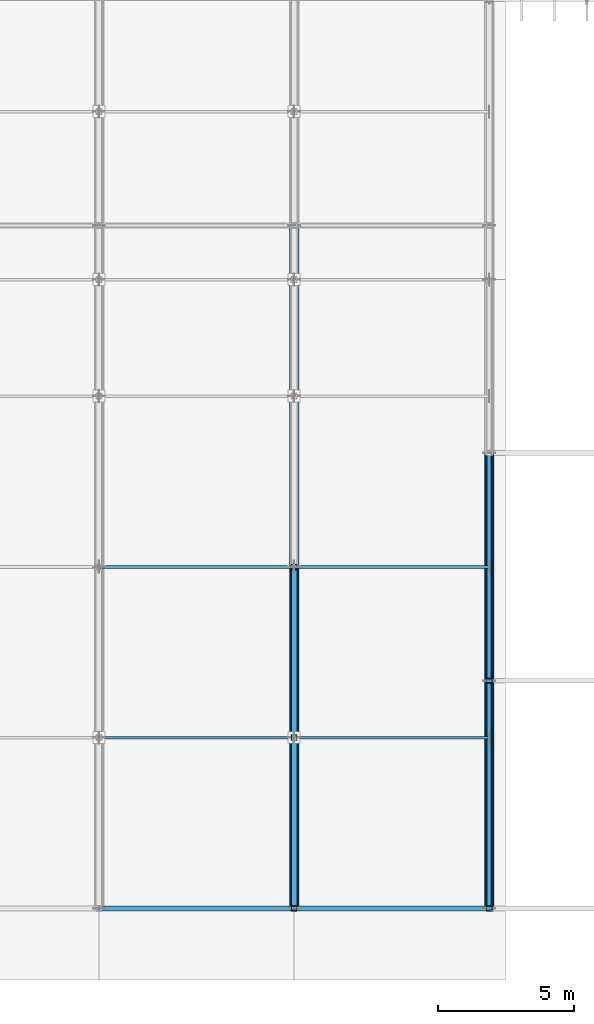
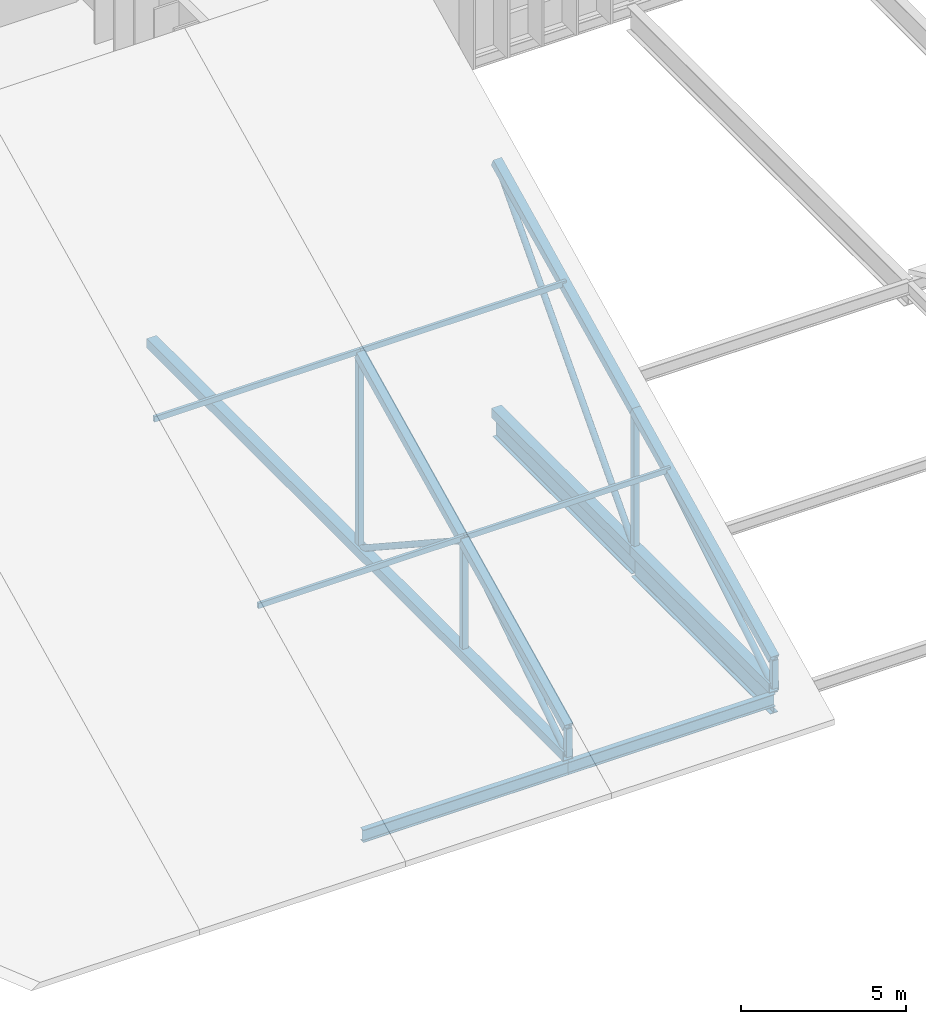
# One storey, part 26 of 99: 20 members, 4 beams.
"""IFC4 building model written with IfcOpenShell, lengths in metres."""

from ifc_helpers import new_model, si_unit, direction, frame, origin, origin_2d, place, context, subcontext, project, spatial, hollow_rectangle, hollow_circle, i_section, extrude, material, material_profile, profile_set, type_object, element, save


model = new_model("IFC4")

# Units and contexts
model_context = context("Model", 3, precision=1e-05, world=origin(), true_north=direction((0.0, 1.0)))
body_context = subcontext(model_context, "Body", "Model", "MODEL_VIEW")
ifc_project = project(units=[si_unit("LENGTHUNIT", "METRE"), si_unit("AREAUNIT", "SQUARE_METRE"), si_unit("VOLUMEUNIT", "CUBIC_METRE"), si_unit("PLANEANGLEUNIT", "RADIAN"), si_unit("MASSUNIT", "GRAM", prefix="KILO")], contexts=[model_context])

# Site, building, storey
site_placement = place(None, origin())
site = spatial("IfcSite", under=ifc_project, at=site_placement, CompositionType="ELEMENT")
building_placement = place(site_placement, origin())
building = spatial("IfcBuilding", under=site, at=building_placement, Name="Qelthora Terrace Specialist Clinic", CompositionType="ELEMENT")
storey_placement = place(building_placement, frame((0.0, 0.0, 9.0)))
storey = spatial("IfcBuildingStorey", under=building, at=storey_placement, Name="L02", CompositionType="ELEMENT", Elevation=9.0)

# Beams
ifc_material = material(Name="Steel S355", Category="steel")
ifc_material_profile_1 = material_profile(ifc_material, i_section(OverallWidth=0.256103515625, OverallDepth=0.693115234375, WebThickness=0.014404296875, FlangeThickness=0.023681640625, FilletRadius=0.01806640625, at=origin_2d()), Name="W690X170")
ifc_profile_set_1 = profile_set([ifc_material_profile_1], Name="Steel S355")
beam_type_1 = type_object("IfcBeamType", Name="BM-W690X170", PredefinedType="BEAM", material=ifc_profile_set_1)
beam_1_placement = place(storey_placement, frame((93.60009765625, 8.39990234375, -0.596435546875), z_axis=(0.0, 1.0, 0.0), x_axis=(-1.0, 0.0, 0.0)))
element("IfcBeam", 1, at=beam_1_placement, inside=storey, type_object=beam_type_1, Name="Girder BMY-L02-0833", PredefinedType="BEAM", context=body_context, shape_type="SweptSolid", body=[
    extrude(i_section(OverallWidth=0.256103515625, OverallDepth=0.693115234375, WebThickness=0.014404296875, FlangeThickness=0.023681640625, FilletRadius=0.01806640625, at=origin_2d()), origin(), (0.0, 0.0, 1.0), 8.400146484375),
])
ifc_material_profile_2 = material_profile(ifc_material, i_section(OverallWidth=0.26806640625, OverallDepth=0.77001953125, WebThickness=0.015625, FlangeThickness=0.025390625, FilletRadius=0.01904296875, at=origin_2d()), Name="W760X196")
ifc_profile_set_2 = profile_set([ifc_material_profile_2], Name="Steel S355")
beam_type_2 = type_object("IfcBeamType", Name="BM-W760X196", PredefinedType="BEAM", material=ifc_profile_set_2)
beam_2_placement = place(storey_placement, frame((93.60009765625, 0.0, -0.635009765625), z_axis=(0.0, 1.0, 0.0), x_axis=(-1.0, 0.0, 0.0)))
element("IfcBeam", 2, at=beam_2_placement, inside=storey, type_object=beam_type_2, Name="Girder BMY-L02-0832", PredefinedType="BEAM", context=body_context, shape_type="SweptSolid", body=[
    extrude(i_section(OverallWidth=0.26806640625, OverallDepth=0.77001953125, WebThickness=0.015625, FlangeThickness=0.025390625, FilletRadius=0.01904296875, at=origin_2d()), origin(), (0.0, 0.0, 1.0), 8.39990234375),
])

# Members
ifc_material_profile_3 = material_profile(ifc_material, hollow_circle(Radius=0.109619140625, WallThickness=0.010009765625, at=origin_2d()), Name="CHS219X10")
ifc_profile_set_3 = profile_set([ifc_material_profile_3], Name="Steel S355")
member_type_1 = type_object("IfcMemberType", Name="MEM-BRACE-CHS219", PredefinedType="BRACE", material=ifc_profile_set_3)
for number, where, z_axis, x_axis, name in (
    (3, (86.39990234375, 0.0, -0.050048828125), (0.0, 0.836962185981, 0.547260723273), (-1.0, 0.0, 0.0), "Hall roof truss TR-5 diagonal web 1"),
    (4, (86.39990234375, 6.300048828125, 4.0693359375), (0.0, 0.836962185981, -0.547260723273), (-1.0, 0.0, 0.0), "Hall roof truss TR-5 diagonal web 2"),
):
    element("IfcMember", number, at=place(storey_placement, frame(where, z_axis=z_axis, x_axis=x_axis)), inside=storey, type_object=member_type_1, Name=name, PredefinedType="BRACE", context=body_context, shape_type="SweptSolid", body=[
        extrude(hollow_circle(Radius=0.109619140625, WallThickness=0.010009765625, at=origin_2d()), origin(), (0.0, 0.0, 1.0), 7.52734375),
    ])
member_1_placement = place(storey_placement, frame((93.60009765625, 0.0, -0.050048828125), z_axis=(0.0, 0.852828100441, 0.522191757019), x_axis=(-1.0, 0.0, 0.0)))
element("IfcMember", 5, at=member_1_placement, inside=storey, type_object=member_type_1, Name="Hall roof truss TR-6 diagonal web 1", PredefinedType="BRACE", context=body_context, shape_type="SweptSolid", body=[
    extrude(hollow_circle(Radius=0.109619140625, WallThickness=0.010009765625, at=origin_2d()), origin(), (0.0, 0.0, 1.0), 9.849365234375),
])
member_2_placement = place(storey_placement, frame((93.60009765625, 8.39990234375, -0.050048828125), z_axis=(0.0, 0.672708799827, 0.739907339223), x_axis=(-1.0, 0.0, 0.0)))
element("IfcMember", 6, at=member_2_placement, inside=storey, type_object=member_type_1, Name="Hall roof truss TR-6 diagonal web 2", PredefinedType="BRACE", context=body_context, shape_type="SweptSolid", body=[
    extrude(hollow_circle(Radius=0.109619140625, WallThickness=0.010009765625, at=origin_2d()), origin(), (0.0, 0.0, 1.0), 12.487060546875),
])
ifc_material_profile_4 = material_profile(ifc_material, hollow_rectangle(XDim=0.199951171875, YDim=0.199951171875, WallThickness=0.010009765625, at=origin_2d()), Name="HSS200X200X10")
ifc_profile_set_4 = profile_set([ifc_material_profile_4], Name="Steel S355")
member_type_2 = type_object("IfcMemberType", Name="MEM-BRACE-HSS200", PredefinedType="BRACE", material=ifc_profile_set_4)
member_3_placement = place(storey_placement, frame((86.39990234375, 0.0, -0.050048828125), z_axis=(0.0, 0.0, 1.0), x_axis=(1.0, 0.0, 0.0)))
element("IfcMember", 7, at=member_3_placement, inside=storey, type_object=member_type_2, Name="Hall roof truss TR-5 vertical web 1", PredefinedType="BRACE", context=body_context, shape_type="SweptSolid", body=[
    extrude(hollow_rectangle(XDim=0.199951171875, YDim=0.199951171875, WallThickness=0.010009765625, at=origin_2d()), origin(), (0.0, 0.0, 1.0), 1.04736328125),
])
member_4_placement = place(storey_placement, frame((86.39990234375, 6.300048828125, -0.050048828125), z_axis=(0.0, 0.0, 1.0), x_axis=(1.0, 0.0, 0.0)))
element("IfcMember", 8, at=member_4_placement, inside=storey, type_object=member_type_2, Name="Hall roof truss TR-5 vertical web 2", PredefinedType="BRACE", context=body_context, shape_type="SweptSolid", body=[
    extrude(hollow_rectangle(XDim=0.199951171875, YDim=0.199951171875, WallThickness=0.010009765625, at=origin_2d()), origin(), (0.0, 0.0, 1.0), 4.119384765625),
])
member_5_placement = place(storey_placement, frame((86.39990234375, 12.60009765625, -0.050048828125), z_axis=(0.0, 0.0, 1.0), x_axis=(1.0, 0.0, 0.0)))
element("IfcMember", 9, at=member_5_placement, inside=storey, type_object=member_type_2, Name="Hall roof truss TR-5 vertical web 3", PredefinedType="BRACE", context=body_context, shape_type="SweptSolid", body=[
    extrude(hollow_rectangle(XDim=0.199951171875, YDim=0.199951171875, WallThickness=0.010009765625, at=origin_2d()), origin(), (0.0, 0.0, 1.0), 7.19140625),
])
member_6_placement = place(storey_placement, frame((93.60009765625, 0.0, -0.050048828125), z_axis=(0.0, 0.0, 1.0), x_axis=(1.0, 0.0, 0.0)))
element("IfcMember", 10, at=member_6_placement, inside=storey, type_object=member_type_2, Name="Hall roof truss TR-6 vertical web 1", PredefinedType="BRACE", context=body_context, shape_type="SweptSolid", body=[
    extrude(hollow_rectangle(XDim=0.199951171875, YDim=0.199951171875, WallThickness=0.010009765625, at=origin_2d()), origin(), (0.0, 0.0, 1.0), 1.04736328125),
])
member_7_placement = place(storey_placement, frame((93.60009765625, 8.39990234375, -0.050048828125), z_axis=(0.0, 0.0, 1.0), x_axis=(1.0, 0.0, 0.0)))
element("IfcMember", 11, at=member_7_placement, inside=storey, type_object=member_type_2, Name="Hall roof truss TR-6 vertical web 2", PredefinedType="BRACE", context=body_context, shape_type="SweptSolid", body=[
    extrude(hollow_rectangle(XDim=0.199951171875, YDim=0.199951171875, WallThickness=0.010009765625, at=origin_2d()), origin(), (0.0, 0.0, 1.0), 5.143310546875),
])
ifc_material_profile_5 = material_profile(ifc_material, hollow_rectangle(XDim=0.300048828125, YDim=0.300048828125, WallThickness=0.011962890625, at=origin_2d()), Name="HSS300X300X12")
ifc_profile_set_5 = profile_set([ifc_material_profile_5], Name="Steel S355")
member_type_3 = type_object("IfcMemberType", Name="MEM-CHORD-HSS300", PredefinedType="CHORD", material=ifc_profile_set_5)
for number, where, z_axis, x_axis, name in (
    (12, (86.39990234375, 0.0, 0.997314453125), (0.0, 0.898834383222, 0.438288434183), (-1.0, 0.0, 0.0), "Hall roof truss TR-5 top chord 1"),
    (13, (86.39990234375, 6.300048828125, 4.0693359375), (0.0, 0.898834383222, 0.438288434183), (-1.0, 0.0, 0.0), "Hall roof truss TR-5 top chord 2"),
):
    element("IfcMember", number, at=place(storey_placement, frame(where, z_axis=z_axis, x_axis=x_axis)), inside=storey, type_object=member_type_3, Name=name, PredefinedType="CHORD", context=body_context, shape_type="SweptSolid", body=[
        extrude(hollow_rectangle(XDim=0.300048828125, YDim=0.300048828125, WallThickness=0.011962890625, at=origin_2d()), origin(), (0.0, 0.0, 1.0), 7.009033203125),
    ])
member_8_placement = place(storey_placement, frame((93.60009765625, 0.0, 0.997314453125), z_axis=(0.0, 0.898834468171, 0.43828825997), x_axis=(-1.0, 0.0, 0.0)))
element("IfcMember", 14, at=member_8_placement, inside=storey, type_object=member_type_3, Name="Hall roof truss TR-6 top chord 1", PredefinedType="CHORD", context=body_context, shape_type="SweptSolid", body=[
    extrude(hollow_rectangle(XDim=0.300048828125, YDim=0.300048828125, WallThickness=0.011962890625, at=origin_2d()), origin(), (0.0, 0.0, 1.0), 9.34521484375),
])
member_9_placement = place(storey_placement, frame((93.60009765625, 8.39990234375, 5.09326171875), z_axis=(0.0, 0.898839486394, 0.438277968531), x_axis=(-1.0, 0.0, 0.0)))
element("IfcMember", 15, at=member_9_placement, inside=storey, type_object=member_type_3, Name="Hall roof truss TR-6 top chord 2", PredefinedType="CHORD", context=body_context, shape_type="SweptSolid", body=[
    extrude(hollow_rectangle(XDim=0.300048828125, YDim=0.300048828125, WallThickness=0.011962890625, at=origin_2d()), origin(), (0.0, 0.0, 1.0), 9.345458984375),
])
ifc_material_profile_6 = material_profile(ifc_material, hollow_rectangle(XDim=0.35009765625, YDim=0.35009765625, WallThickness=0.01611328125, at=origin_2d()), Name="HSS350X350X16")
ifc_profile_set_6 = profile_set([ifc_material_profile_6], Name="Steel S355")
member_type_4 = type_object("IfcMemberType", Name="MEM-CHORD-HSS350", PredefinedType="CHORD", material=ifc_profile_set_6)
member_10_placement = place(storey_placement, frame((86.39990234375, 0.0, -0.050048828125), z_axis=(0.0, 1.0, 0.0), x_axis=(-1.0, 0.0, 0.0)))
element("IfcMember", 16, at=member_10_placement, inside=storey, type_object=member_type_4, Name="Hall roof truss TR-5 bottom chord 1", PredefinedType="CHORD", context=body_context, shape_type="SweptSolid", body=[
    extrude(hollow_rectangle(XDim=0.35009765625, YDim=0.35009765625, WallThickness=0.01611328125, at=origin_2d()), origin(), (0.0, 0.0, 1.0), 25.199951171875),
])
member_11_placement = place(storey_placement, frame((93.60009765625, 0.0, -0.050048828125), z_axis=(0.0, 1.0, 0.0), x_axis=(-1.0, 0.0, 0.0)))
element("IfcMember", 17, at=member_11_placement, inside=storey, type_object=member_type_4, Name="Hall roof truss TR-6 bottom chord 1", PredefinedType="CHORD", context=body_context, shape_type="SweptSolid", body=[
    extrude(hollow_rectangle(XDim=0.35009765625, YDim=0.35009765625, WallThickness=0.01611328125, at=origin_2d()), origin(), (0.0, 0.0, 1.0), 8.39990234375),
])
member_12_placement = place(storey_placement, frame((93.60009765625, 8.39990234375, -0.050048828125), z_axis=(0.0, 1.0, 0.0), x_axis=(-1.0, 0.0, 0.0)))
element("IfcMember", 18, at=member_12_placement, inside=storey, type_object=member_type_4, Name="Hall roof truss TR-6 bottom chord 2", PredefinedType="CHORD", context=body_context, shape_type="SweptSolid", body=[
    extrude(hollow_rectangle(XDim=0.35009765625, YDim=0.35009765625, WallThickness=0.01611328125, at=origin_2d()), origin(), (0.0, 0.0, 1.0), 8.400146484375),
])
ifc_material_profile_7 = material_profile(ifc_material, hollow_rectangle(XDim=0.10009765625, YDim=0.199951171875, WallThickness=0.008056640625, at=origin_2d()), Name="HSS200X100X8")
ifc_profile_set_7 = profile_set([ifc_material_profile_7], Name="Steel S355")
member_type_5 = type_object("IfcMemberType", Name="MEM-PURLIN-HSS200", PredefinedType="PURLIN", material=ifc_profile_set_7)
member_13_placement = place(storey_placement, frame((79.199951171875, 6.300048828125, 4.185302734375), z_axis=(1.0, 0.0, 0.0), x_axis=(0.0, 1.0, 0.0)))
element("IfcMember", 19, at=member_13_placement, inside=storey, type_object=member_type_5, Name="Hall roof purlin V1-PRL-004", PredefinedType="PURLIN", context=body_context, shape_type="SweptSolid", body=[
    extrude(hollow_rectangle(XDim=0.10009765625, YDim=0.199951171875, WallThickness=0.008056640625, at=origin_2d()), origin(), (0.0, 0.0, 1.0), 7.199951171875),
])
member_14_placement = place(storey_placement, frame((86.39990234375, 6.300048828125, 4.185302734375), z_axis=(1.0, 0.0, 0.0), x_axis=(0.0, 1.0, 0.0)))
element("IfcMember", 20, at=member_14_placement, inside=storey, type_object=member_type_5, Name="Hall roof purlin V1-PRL-005", PredefinedType="PURLIN", context=body_context, shape_type="SweptSolid", body=[
    extrude(hollow_rectangle(XDim=0.10009765625, YDim=0.199951171875, WallThickness=0.008056640625, at=origin_2d()), origin(), (0.0, 0.0, 1.0), 7.2001953125),
])
member_15_placement = place(storey_placement, frame((79.199951171875, 12.60009765625, 7.25732421875), z_axis=(1.0, 0.0, 0.0), x_axis=(0.0, 1.0, 0.0)))
element("IfcMember", 21, at=member_15_placement, inside=storey, type_object=member_type_5, Name="Hall roof purlin V1-PRL-009", PredefinedType="PURLIN", context=body_context, shape_type="SweptSolid", body=[
    extrude(hollow_rectangle(XDim=0.10009765625, YDim=0.199951171875, WallThickness=0.008056640625, at=origin_2d()), origin(), (0.0, 0.0, 1.0), 7.199951171875),
])
member_16_placement = place(storey_placement, frame((86.39990234375, 12.60009765625, 7.25732421875), z_axis=(1.0, 0.0, 0.0), x_axis=(0.0, 1.0, 0.0)))
element("IfcMember", 22, at=member_16_placement, inside=storey, type_object=member_type_5, Name="Hall roof purlin V1-PRL-010", PredefinedType="PURLIN", context=body_context, shape_type="SweptSolid", body=[
    extrude(hollow_rectangle(XDim=0.10009765625, YDim=0.199951171875, WallThickness=0.008056640625, at=origin_2d()), origin(), (0.0, 0.0, 1.0), 7.2001953125),
])

# Beams
ifc_material_profile_8 = material_profile(ifc_material, i_section(OverallWidth=0.19091796875, OverallDepth=0.4599609375, WebThickness=0.010009765625, FlangeThickness=0.01611328125, FilletRadius=0.012939453125, at=origin_2d()), Name="W460X82")
ifc_profile_set_8 = profile_set([ifc_material_profile_8], Name="Steel S355")
beam_type_3 = type_object("IfcBeamType", Name="SPD-W460X82", PredefinedType="SPANDREL", material=ifc_profile_set_8)
beam_3_placement = place(storey_placement, frame((79.199951171875, 0.0, -0.47998046875), z_axis=(1.0, 0.0, 0.0), x_axis=(0.0, 1.0, 0.0)))
element("IfcBeam", 23, at=beam_3_placement, inside=storey, type_object=beam_type_3, Name="Girder BMX-L02-0559", PredefinedType="SPANDREL", context=body_context, shape_type="SweptSolid", body=[
    extrude(i_section(OverallWidth=0.19091796875, OverallDepth=0.4599609375, WebThickness=0.010009765625, FlangeThickness=0.01611328125, FilletRadius=0.012939453125, at=origin_2d()), origin(), (0.0, 0.0, 1.0), 7.199951171875),
])
beam_4_placement = place(storey_placement, frame((86.39990234375, 0.0, -0.47998046875), z_axis=(1.0, 0.0, 0.0), x_axis=(0.0, 1.0, 0.0)))
element("IfcBeam", 24, at=beam_4_placement, inside=storey, type_object=beam_type_3, Name="Girder BMX-L02-0560", PredefinedType="SPANDREL", context=body_context, shape_type="SweptSolid", body=[
    extrude(i_section(OverallWidth=0.19091796875, OverallDepth=0.4599609375, WebThickness=0.010009765625, FlangeThickness=0.01611328125, FilletRadius=0.012939453125, at=origin_2d()), origin(), (0.0, 0.0, 1.0), 7.2001953125),
])

save(model, "model.ifc")
